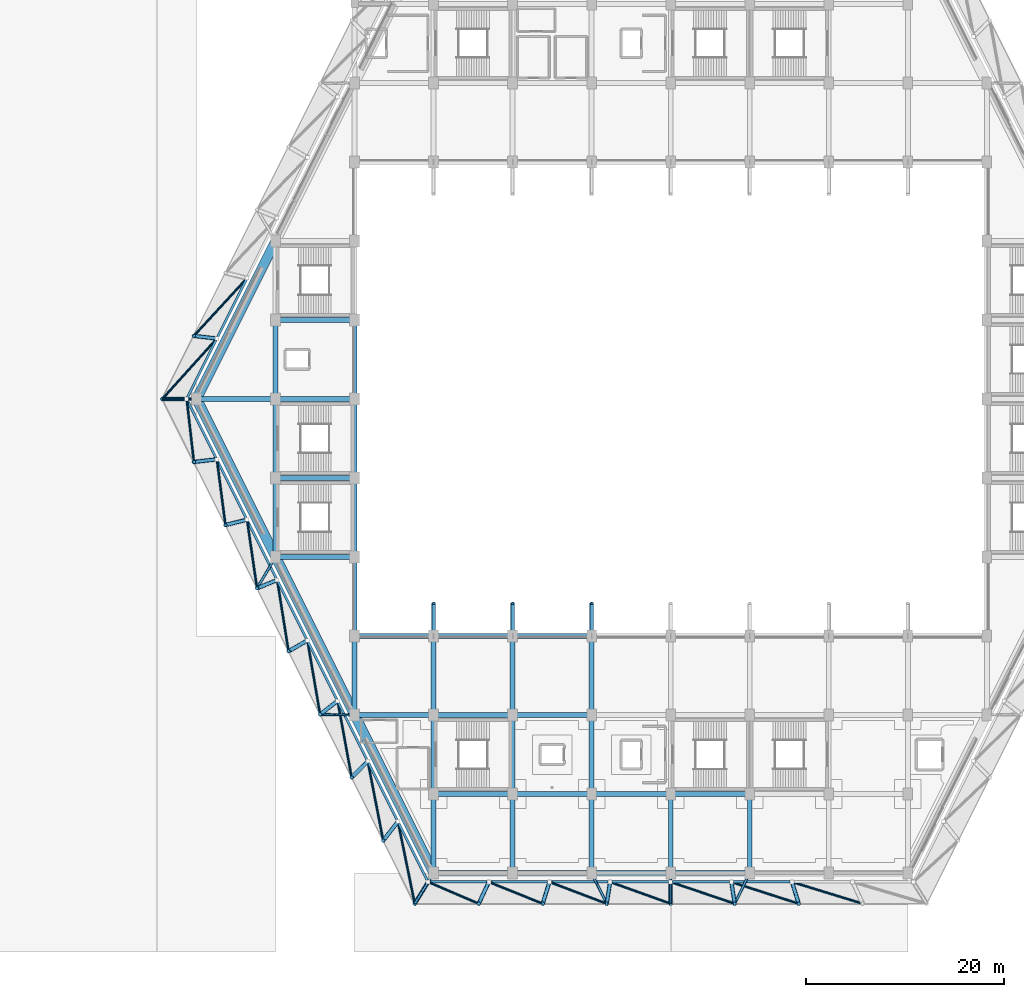
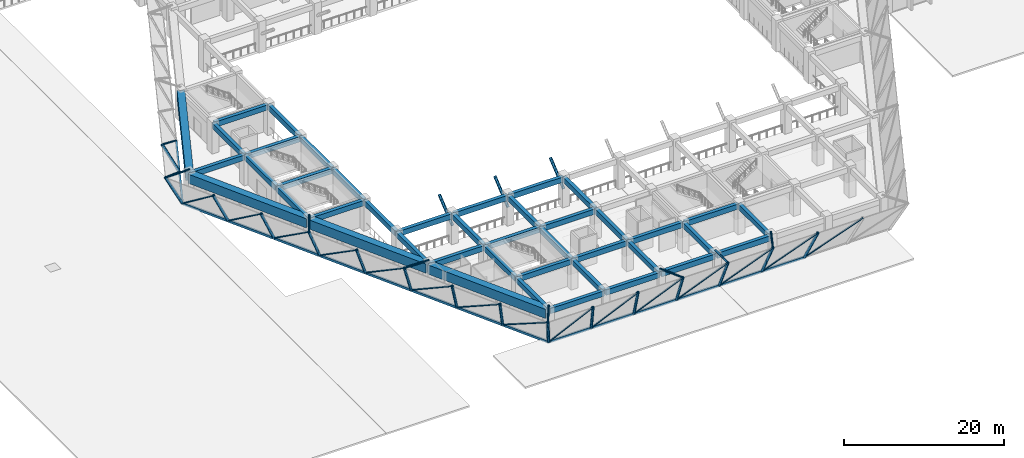
# One storey, part 7 of 46: 59 members, 42 beams.
"""IFC4 building model written with IfcOpenShell, lengths in metres."""

import ifcopenshell
import ifcopenshell.guid

model = None  # the IFC model being written
_history = None  # IfcOwnerHistory: only IFC2X3 demands one
_inside = {}  # id of a spatial element -> (the spatial element, [elements in it])
_under = {}  # id of a project, library or spatial element -> (it, [spatial elements below it])
_declared = {}  # id of a project -> (the project, [libraries it declares])
_typed = {}  # id of a type object -> (the type object, [elements of that type])
_made_of = {}  # id of a material, layer set ... -> (it, [elements and type objects made of it])


def new_model(schema):
    """Start an empty IFC model of exactly this schema.

    Asked for "IFC4X3", IfcOpenShell would pick the latest addendum, in which some entities
    have other attributes; the version numbers below select the first issue.
    IFC2X3 requires an IfcOwnerHistory on every rooted entity: one is made here for all.
    """
    global model, _history
    if schema == "IFC4X3":
        model = ifcopenshell.file(schema_version=(4, 3, 0, 0))
    else:
        model = ifcopenshell.file(schema=schema)
    _inside.clear()
    _under.clear()
    _declared.clear()
    _typed.clear()
    _made_of.clear()
    _history = None
    if model.schema == "IFC2X3":
        org = make("IfcOrganization", Name="unknown")
        user = make(
            "IfcPersonAndOrganization",
            ThePerson=make("IfcPerson", FamilyName="unknown"),
            TheOrganization=org,
        )
        app = make(
            "IfcApplication",
            ApplicationDeveloper=org,
            Version="unknown",
            ApplicationFullName="unknown",
            ApplicationIdentifier="unknown",
        )
        _history = make(
            "IfcOwnerHistory",
            OwningUser=user,
            OwningApplication=app,
            ChangeAction="ADDED",
            CreationDate=0,
        )
    return model


def make(cls, **values):
    """One entity of the class cls with the attributes given. An attribute that is None is left unset."""
    return model.create_entity(
        cls, **{name: value for name, value in values.items() if value is not None}
    )


def rooted(cls, **values):
    """An entity with a GlobalId (a new one), such as an element, a storey or a relation."""
    return make(cls, GlobalId=ifcopenshell.guid.new(), OwnerHistory=_history, **values)


def si_unit(unit_type, name, prefix=None):
    """IfcSIUnit, for example si_unit("LENGTHUNIT", "METRE", prefix="MILLI")."""
    return make("IfcSIUnit", UnitType=unit_type, Prefix=prefix, Name=name)


def assignment(units):
    """IfcUnitAssignment: the units of a project."""
    return None if units is None else make("IfcUnitAssignment", Units=units)


def point(xyz):
    """IfcCartesianPoint."""
    return None if xyz is None else make("IfcCartesianPoint", Coordinates=xyz)


def direction(xyz):
    """IfcDirection."""
    return None if xyz is None else make("IfcDirection", DirectionRatios=xyz)


def frame(location, z_axis=None, x_axis=None):
    """IfcAxis2Placement3D, a coordinate frame: its origin and axes. An axis left out is left unset."""
    return make(
        "IfcAxis2Placement3D",
        Location=point(location),
        Axis=direction(z_axis),
        RefDirection=direction(x_axis),
    )


def frame_2d(location, x_axis=None):
    """IfcAxis2Placement2D, a coordinate frame in the plane: its origin and x axis."""
    return make(
        "IfcAxis2Placement2D", Location=point(location), RefDirection=direction(x_axis)
    )


def origin():
    """The frame at (0, 0, 0) with its axes left unset."""
    return frame((0.0, 0.0, 0.0))


def origin_2d():
    """The frame at (0, 0) in the plane with its x axis left unset."""
    return frame_2d((0.0, 0.0))


def place(relative_to, where):
    """IfcLocalPlacement: puts the frame where relative to a parent placement (None: the world)."""
    return make(
        "IfcLocalPlacement", PlacementRelTo=relative_to, RelativePlacement=where
    )


def context(
    kind, dimensions, precision=None, world=None, true_north=None, identifier=None
):
    """IfcGeometricRepresentationContext, for example the 3D "Model" context."""
    return make(
        "IfcGeometricRepresentationContext",
        ContextIdentifier=identifier,
        ContextType=kind,
        CoordinateSpaceDimension=dimensions,
        Precision=precision,
        WorldCoordinateSystem=world,
        TrueNorth=true_north,
    )


def subcontext(parent, identifier, kind, view, scale=None):
    """IfcGeometricRepresentationSubContext, for example "Body" below "Model"."""
    return make(
        "IfcGeometricRepresentationSubContext",
        ContextIdentifier=identifier,
        ContextType=kind,
        ParentContext=parent,
        TargetScale=scale,
        TargetView=view,
    )


def project(units=None, contexts=None):
    """IfcProject with its units and contexts."""
    return rooted(
        "IfcProject",
        Name="project",
        RepresentationContexts=contexts,
        UnitsInContext=assignment(units),
    )


def spatial(cls, under=None, at=None, **own):
    """A site, building, storey or space (cls), placed at a placement, below another one or the project."""
    s = rooted(cls, ObjectPlacement=at, **own)
    if under is not None:
        _under.setdefault(under.id(), (under, []))[1].append(s)
    return s


def profile(cls, at=None, kind="AREA", **sizes):
    """A parametric profile (cls). Its sizes go by their IFC names, for example OverallWidth=200.0."""
    return make(cls, ProfileType=kind, Position=at, **sizes)


def rectangle(**sizes):
    """IfcRectangleProfileDef."""
    return profile("IfcRectangleProfileDef", **sizes)


def hollow_rectangle(**sizes):
    """IfcRectangleHollowProfileDef."""
    return profile("IfcRectangleHollowProfileDef", **sizes)


def hollow_circle(**sizes):
    """IfcCircleHollowProfileDef."""
    return profile("IfcCircleHollowProfileDef", **sizes)


def extrude(swept, where, along, depth):
    """IfcExtrudedAreaSolid: the profile swept, set in the frame where, extruded along a direction by depth."""
    return make(
        "IfcExtrudedAreaSolid",
        SweptArea=swept,
        Position=where,
        ExtrudedDirection=direction(along),
        Depth=depth,
    )


def shape(context_of_items, identifier, shape_type, items):
    """IfcShapeRepresentation: the items that make up one representation, for example the "Body"."""
    return make(
        "IfcShapeRepresentation",
        ContextOfItems=context_of_items,
        RepresentationIdentifier=identifier,
        RepresentationType=shape_type,
        Items=items,
    )


def material(Name=None, Category=None):
    """IfcMaterial."""
    return make("IfcMaterial", Name=Name, Category=Category)


def material_profile(
    of_material, cross_section, Name=None, Category=None, Priority=None
):
    """IfcMaterialProfile: a cross section and its material."""
    return make(
        "IfcMaterialProfile",
        Name=Name,
        Material=of_material,
        Profile=cross_section,
        Priority=Priority,
        Category=Category,
    )


def profile_set(profiles, Name=None, composite=None):
    """IfcMaterialProfileSet."""
    return make(
        "IfcMaterialProfileSet",
        Name=Name,
        MaterialProfiles=profiles,
        CompositeProfile=composite,
    )


def made_of(thing, what):
    """Note that an element or type object is made of a material, layer set ...; save() writes the relation."""
    if what is not None:
        _made_of.setdefault(what.id(), (what, []))[1].append(thing)
    return thing


def type_object(cls, material=None, **own):
    """A type object (cls), such as IfcWallType, which elements share."""
    return made_of(rooted(cls, **own), material)


def element(
    cls,
    number,
    at=None,
    inside=None,
    cuts=None,
    type_object=None,
    material=None,
    context=None,
    identifier="Body",
    shape_type=None,
    held_by="IfcProductDefinitionShape",
    body=None,
    shapes=None,
    **own,
):
    """One element of the class cls, such as IfcWall. Its Tag is "e" and its number.

    at: its placement. inside: the storey or other place that contains it. cuts: it is an
    opening in that element (IfcRelVoidsElement). A single representation is given by context,
    identifier, shape_type and body (its items); several are given by shapes. held_by: the class
    of the entity that holds the representations. save() writes the other relations.
    """
    e = rooted(cls, Tag="e%d" % number, ObjectPlacement=at, **own)
    if body is not None:
        shapes = [shape(context, identifier, shape_type, body)]
    if shapes is not None:
        e.Representation = make(held_by, Representations=shapes)
    if inside is not None:
        _inside.setdefault(inside.id(), (inside, []))[1].append(e)
    if cuts is not None:
        rooted(
            "IfcRelVoidsElement", RelatingBuildingElement=cuts, RelatedOpeningElement=e
        )
    if type_object is not None:
        _typed.setdefault(type_object.id(), (type_object, []))[1].append(e)
    return made_of(e, material)


def aggregate(whole, parts):
    """IfcRelAggregates: a whole, such as a stair, and the parts it consists of."""
    return rooted("IfcRelAggregates", RelatingObject=whole, RelatedObjects=parts)


def save(model, path):
    """Write the relations noted so far, then the file.

    IfcRelAggregates (storeys below a building ...), IfcRelContainedInSpatialStructure (elements
    in a storey), IfcRelDefinesByType, IfcRelAssociatesMaterial and IfcRelDeclares: one each for
    every whole, place, type object, material and project.
    """
    for whole, parts in _under.values():
        aggregate(whole, parts)
    for where, things in _inside.values():
        rooted(
            "IfcRelContainedInSpatialStructure",
            RelatedElements=things,
            RelatingStructure=where,
        )
    for kind, things in _typed.values():
        rooted("IfcRelDefinesByType", RelatedObjects=things, RelatingType=kind)
    for what, things in _made_of.values():
        rooted("IfcRelAssociatesMaterial", RelatedObjects=things, RelatingMaterial=what)
    for by, libraries in _declared.values():
        rooted("IfcRelDeclares", RelatingContext=by, RelatedDefinitions=libraries)
    model.write(path)


model = new_model("IFC4")

# Units and contexts
model_context = context("Model", 3, precision=1e-05, world=origin(), true_north=direction((0.0, 1.0)))
body_context = subcontext(model_context, "Body", "Model", "MODEL_VIEW")
ifc_project = project(units=[si_unit("LENGTHUNIT", "METRE"), si_unit("AREAUNIT", "SQUARE_METRE"), si_unit("VOLUMEUNIT", "CUBIC_METRE"), si_unit("PLANEANGLEUNIT", "RADIAN"), si_unit("MASSUNIT", "GRAM", prefix="KILO")], contexts=[model_context])

# Site, building, storey
site_placement = place(None, origin())
site = spatial("IfcSite", under=ifc_project, at=site_placement, CompositionType="ELEMENT")
building_placement = place(site_placement, origin())
building = spatial("IfcBuilding", under=site, at=building_placement, Name="Tazarka Park Arena", CompositionType="ELEMENT")
storey_placement = place(building_placement, frame((0.0, 0.0, 10.199951171875)))
storey = spatial("IfcBuildingStorey", under=building, at=storey_placement, Name="L02", CompositionType="ELEMENT", Elevation=10.199951171875)

# Beams
ifc_material_1 = material(Name="Concrete C40/50", Category="concrete")
ifc_material_profile_1 = material_profile(ifc_material_1, rectangle(XDim=0.5, YDim=0.800048828125, at=origin_2d()), Name="Concrete C40/50")
ifc_profile_set_1 = profile_set([ifc_material_profile_1], Name="Concrete C40/50")
beam_type_1 = type_object("IfcBeamType", Name="BM-B-02", PredefinedType="BEAM", material=ifc_profile_set_1)
for number, where, z_axis, x_axis, name in (
    (1, (48.1201171875, 56.0, 4.02001953125), (1.0, 0.0, 0.0), (0.0, 1.0, 0.0), "GXM-L02-06-07"),
    (2, (48.1201171875, 64.0, 4.02001953125), (1.0, 0.0, 0.0), (0.0, 1.0, 0.0), "GXM-L02-06-08"),
    (3, (48.0, 64.1201171875, 4.02001953125), (0.0, 1.0, 0.0), (-1.0, 0.0, 0.0), "GYM-L02-06-08"),
    (4, (48.1201171875, 72.0, 4.02001953125), (1.0, 0.0, 0.0), (0.0, 1.0, 0.0), "GXM-L02-06-09"),
    (5, (56.1201171875, 40.0, 4.02001953125), (1.0, 0.0, 0.0), (0.0, 1.0, 0.0), "GXM-L02-07-05"),
    (6, (64.1201171875, 24.0, 4.02001953125), (1.0, 0.0, 0.0), (0.0, 1.0, 0.0), "GXM-L02-08-03"),
    (7, (64.1201171875, 32.0, 4.02001953125), (1.0, 0.0, 0.0), (0.0, 1.0, 0.0), "GXM-L02-08-04"),
    (8, (64.0, 32.1201171875, 4.02001953125), (0.0, 1.0, 0.0), (-1.0, 0.0, 0.0), "GYM-L02-08-04"),
    (9, (72.0, 16.1201171875, 4.02001953125), (0.0, 1.0, 0.0), (-1.0, 0.0, 0.0), "GYM-L02-09-02"),
    (10, (72.1201171875, 24.0, 4.02001953125), (1.0, 0.0, 0.0), (0.0, 1.0, 0.0), "GXM-L02-09-03"),
    (11, (72.0, 24.1201171875, 4.02001953125), (0.0, 1.0, 0.0), (-1.0, 0.0, 0.0), "GYM-L02-09-03"),
    (12, (72.1201171875, 32.0, 4.02001953125), (1.0, 0.0, 0.0), (0.0, 1.0, 0.0), "GXM-L02-09-04"),
    (13, (72.0, 32.1201171875, 4.02001953125), (0.0, 1.0, 0.0), (-1.0, 0.0, 0.0), "GYM-L02-09-04"),
    (14, (80.0, 16.1201171875, 4.02001953125), (0.0, 1.0, 0.0), (-1.0, 0.0, 0.0), "GYM-L02-10-02"),
    (15, (80.1201171875, 24.0, 4.02001953125), (1.0, 0.0, 0.0), (0.0, 1.0, 0.0), "GXM-L02-10-03"),
    (16, (80.0, 24.1201171875, 4.02001953125), (0.0, 1.0, 0.0), (-1.0, 0.0, 0.0), "GYM-L02-10-03"),
    (17, (80.0, 32.1201171875, 4.02001953125), (0.0, 1.0, 0.0), (-1.0, 0.0, 0.0), "GYM-L02-10-04"),
    (18, (88.0, 16.1201171875, 4.02001953125), (0.0, 1.0, 0.0), (-1.0, 0.0, 0.0), "GYM-L02-11-02"),
    (19, (88.1201171875, 24.0, 4.02001953125), (1.0, 0.0, 0.0), (0.0, 1.0, 0.0), "GXM-L02-11-03"),
    (20, (96.0, 16.1201171875, 4.02001953125), (0.0, 1.0, 0.0), (-1.0, 0.0, 0.0), "GYM-L02-12-02"),
):
    element("IfcBeam", number, at=place(storey_placement, frame(where, z_axis=z_axis, x_axis=x_axis)), inside=storey, type_object=beam_type_1, Name=name, PredefinedType="BEAM", context=body_context, shape_type="SweptSolid", body=[
        extrude(rectangle(XDim=0.5, YDim=0.800048828125, at=origin_2d()), origin(), (0.0, 0.0, 1.0), 7.759765625),
    ])
ifc_material_2 = material(Name="Concrete C50/60", Category="concrete")
ifc_material_profile_2 = material_profile(ifc_material_2, rectangle(XDim=1.0, YDim=1.39990234375, at=origin_2d()), Name="Concrete C50/60")
ifc_profile_set_2 = profile_set([ifc_material_profile_2], Name="Concrete C50/60")
beam_type_2 = type_object("IfcBeamType", Name="BM-RNG-01", PredefinedType="BEAM", material=ifc_profile_set_2)
for number, where, z_axis, x_axis, name in (
    (21, (47.9462890625, 79.892578125, 3.719970703125), (-0.4472135955, -0.894427191, 0.0), (0.894427191, -0.4472135955, 0.0), "RING BEAM RNG-01-L02-21"),
    (22, (40.0537109375, 63.892578125, 3.719970703125), (0.4472135955, -0.894427191, 0.0), (0.894427191, 0.4472135955, 0.0), "RING BEAM RNG-01-L02-22"),
    (23, (48.0537109375, 47.892578125, 3.719970703125), (0.4472135955, -0.894427191, 0.0), (0.894427191, 0.4472135955, 0.0), "RING BEAM RNG-01-L02-23"),
    (24, (56.0537109375, 31.892578125, 3.719970703125), (0.4472135955, -0.894427191, 0.0), (0.894427191, 0.4472135955, 0.0), "RING BEAM RNG-01-L02-24"),
):
    element("IfcBeam", number, at=place(storey_placement, frame(where, z_axis=z_axis, x_axis=x_axis)), inside=storey, type_object=beam_type_2, Name=name, PredefinedType="BEAM", context=body_context, shape_type="SweptSolid", body=[
        extrude(rectangle(XDim=1.0, YDim=1.39990234375, at=origin_2d()), origin(), (0.0, 0.0, 1.0), 17.6484375),
    ])
ifc_material_3 = material(Name="Concrete C40/50", Category="concrete")
ifc_material_profile_3 = material_profile(ifc_material_3, rectangle(XDim=0.5, YDim=0.800048828125, at=origin_2d()), Name="Concrete C40/50")
ifc_profile_set_3 = profile_set([ifc_material_profile_3], Name="Concrete C40/50")
beam_type_3 = type_object("IfcBeamType", Name="BM-SP-01", PredefinedType="SPANDREL", material=ifc_profile_set_3)
for number, where, z_axis, x_axis, name in (
    (25, (40.1201171875, 64.0, 4.02001953125), (1.0, 0.0, 0.0), (0.0, 1.0, 0.0), "GXM-L02-05-08"),
    (26, (48.1201171875, 48.0, 4.02001953125), (1.0, 0.0, 0.0), (0.0, 1.0, 0.0), "GXM-L02-06-06"),
    (27, (48.0, 48.1201171875, 4.02001953125), (0.0, 1.0, 0.0), (-1.0, 0.0, 0.0), "GYM-L02-06-06"),
    (28, (48.0, 56.1201171875, 4.02001953125), (0.0, 1.0, 0.0), (-1.0, 0.0, 0.0), "GYM-L02-06-07"),
    (29, (56.1201171875, 32.0, 4.02001953125), (1.0, 0.0, 0.0), (0.0, 1.0, 0.0), "GXM-L02-07-04"),
    (30, (56.0, 32.1201171875, 4.02001953125), (0.0, 1.0, 0.0), (-1.0, 0.0, 0.0), "GYM-L02-07-04"),
    (31, (56.0, 40.1201171875, 4.02001953125), (0.0, 1.0, 0.0), (-1.0, 0.0, 0.0), "GYM-L02-07-05"),
    (32, (56.0, 48.1201171875, 4.02001953125), (0.0, 1.0, 0.0), (-1.0, 0.0, 0.0), "GYM-L02-07-06"),
    (33, (56.0, 56.1201171875, 4.02001953125), (0.0, 1.0, 0.0), (-1.0, 0.0, 0.0), "GYM-L02-07-07"),
    (34, (56.0, 64.1201171875, 4.02001953125), (0.0, 1.0, 0.0), (-1.0, 0.0, 0.0), "GYM-L02-07-08"),
    (35, (64.1201171875, 16.0, 4.02001953125), (1.0, 0.0, 0.0), (0.0, 1.0, 0.0), "GXM-L02-08-02"),
    (36, (64.0, 16.1201171875, 4.02001953125), (0.0, 1.0, 0.0), (-1.0, 0.0, 0.0), "GYM-L02-08-02"),
    (37, (64.0, 24.1201171875, 4.02001953125), (0.0, 1.0, 0.0), (-1.0, 0.0, 0.0), "GYM-L02-08-03"),
    (38, (64.1201171875, 40.0, 4.02001953125), (1.0, 0.0, 0.0), (0.0, 1.0, 0.0), "GXM-L02-08-05"),
    (39, (72.1201171875, 16.0, 4.02001953125), (1.0, 0.0, 0.0), (0.0, 1.0, 0.0), "GXM-L02-09-02"),
    (40, (72.1201171875, 40.0, 4.02001953125), (1.0, 0.0, 0.0), (0.0, 1.0, 0.0), "GXM-L02-09-05"),
    (41, (80.1201171875, 16.0, 4.02001953125), (1.0, 0.0, 0.0), (0.0, 1.0, 0.0), "GXM-L02-10-02"),
    (42, (88.1201171875, 16.0, 4.02001953125), (1.0, 0.0, 0.0), (0.0, 1.0, 0.0), "GXM-L02-11-02"),
):
    element("IfcBeam", number, at=place(storey_placement, frame(where, z_axis=z_axis, x_axis=x_axis)), inside=storey, type_object=beam_type_3, Name=name, PredefinedType="SPANDREL", context=body_context, shape_type="SweptSolid", body=[
        extrude(rectangle(XDim=0.5, YDim=0.800048828125, at=origin_2d()), origin(), (0.0, 0.0, 1.0), 7.759765625),
    ])

# Members
ifc_material_4 = material(Name="Steel S355", Category="steel")
ifc_material_profile_4 = material_profile(ifc_material_4, hollow_circle(Radius=0.122314453125, WallThickness=0.012451171875, at=origin_2d()), Name="Steel S355")
ifc_profile_set_4 = profile_set([ifc_material_profile_4], Name="Steel S355")
member_type_1 = type_object("IfcMemberType", Name="MEM-BR-05", PredefinedType="BRACE", material=ifc_profile_set_4)
member_1_placement = place(storey_placement, frame((63.44384765625, 15.10009765625, 0.0), z_axis=(0.696066765996, -0.299167955702, 0.652678781298), x_axis=(0.394870954977, 0.91873659387, 0.0)))
element("IfcMember", 43, at=member_1_placement, inside=storey, type_object=member_type_1, Name="FLD-00", PredefinedType="BRACE", context=body_context, shape_type="SweptSolid", body=[
    extrude(hollow_circle(Radius=0.122314453125, WallThickness=0.012451171875, at=origin_2d()), origin(), (0.0, 0.0, 1.0), 7.3544921875),
])
member_2_placement = place(storey_placement, frame((69.5830078125, 15.10009765625, 0.0), z_axis=(0.718773908535, -0.289695459021, 0.632013140237), x_axis=(0.373821010062, 0.927500863847, 0.0)))
element("IfcMember", 44, at=member_2_placement, inside=storey, type_object=member_type_1, Name="FLD-01", PredefinedType="BRACE", context=body_context, shape_type="SweptSolid", body=[
    extrude(hollow_circle(Radius=0.122314453125, WallThickness=0.012451171875, at=origin_2d()), origin(), (0.0, 0.0, 1.0), 7.594970703125),
])
member_3_placement = place(storey_placement, frame((75.721923828125, 15.10009765625, 0.0), z_axis=(0.739407164777, -0.280534558539, 0.612027291992), x_axis=(0.354731361378, 0.934968267512, 0.0)))
element("IfcMember", 45, at=member_3_placement, inside=storey, type_object=member_type_1, Name="FLD-02", PredefinedType="BRACE", context=body_context, shape_type="SweptSolid", body=[
    extrude(hollow_circle(Radius=0.122314453125, WallThickness=0.012451171875, at=origin_2d()), origin(), (0.0, 0.0, 1.0), 7.8427734375),
])
member_4_placement = place(storey_placement, frame((81.861083984375, 15.10009765625, 0.0), z_axis=(0.758135771564, -0.271716825346, 0.59279011353), x_axis=(0.337386809488, 0.941366103481, 0.0)))
element("IfcMember", 46, at=member_4_placement, inside=storey, type_object=member_type_1, Name="FLD-03", PredefinedType="BRACE", context=body_context, shape_type="SweptSolid", body=[
    extrude(hollow_circle(Radius=0.122314453125, WallThickness=0.012451171875, at=origin_2d()), origin(), (0.0, 0.0, 1.0), 8.097412109375),
])
member_5_placement = place(storey_placement, frame((88.0, 15.10009765625, 0.0), z_axis=(0.775171183392, -0.263239230715, 0.574294997237), x_axis=(0.321553453525, 0.946891428056, 0.0)))
element("IfcMember", 47, at=member_5_placement, inside=storey, type_object=member_type_1, Name="FLD-04", PredefinedType="BRACE", context=body_context, shape_type="SweptSolid", body=[
    extrude(hollow_circle(Radius=0.122314453125, WallThickness=0.012451171875, at=origin_2d()), origin(), (0.0, 0.0, 1.0), 8.358154296875),
])
member_6_placement = place(storey_placement, frame((94.138916015625, 15.10009765625, 0.0), z_axis=(0.790668677769, -0.255111028035, 0.556562130737), x_axis=(0.307064502192, 0.951688705141, 0.0)))
element("IfcMember", 48, at=member_6_placement, inside=storey, type_object=member_type_1, Name="FLD-05", PredefinedType="BRACE", context=body_context, shape_type="SweptSolid", body=[
    extrude(hollow_circle(Radius=0.122314453125, WallThickness=0.012451171875, at=origin_2d()), origin(), (0.0, 0.0, 1.0), 8.62451171875),
])
member_7_placement = place(storey_placement, frame((100.278076171875, 15.10009765625, 0.0), z_axis=(0.804772711935, -0.247335254918, 0.539598141027), x_axis=(0.293774300866, 0.955874814058, 0.0)))
element("IfcMember", 49, at=member_7_placement, inside=storey, type_object=member_type_1, Name="FLD-06", PredefinedType="BRACE", context=body_context, shape_type="SweptSolid", body=[
    extrude(hollow_circle(Radius=0.122314453125, WallThickness=0.012451171875, at=origin_2d()), origin(), (0.0, 0.0, 1.0), 8.8955078125),
])
member_8_placement = place(storey_placement, frame((45.106201171875, 76.22509765625, 0.0), z_axis=(-0.579814796699, -0.629321452741, 0.517464308575), x_axis=(0.735442245217, -0.67758741425, 0.0)))
element("IfcMember", 50, at=member_8_placement, inside=storey, type_object=member_type_1, Name="FLD-38", PredefinedType="BRACE", context=body_context, shape_type="SweptSolid", body=[
    extrude(hollow_circle(Radius=0.122314453125, WallThickness=0.012451171875, at=origin_2d()), origin(), (0.0, 0.0, 1.0), 9.276123046875),
])
member_9_placement = place(storey_placement, frame((42.050048828125, 70.112548828125, 0.0), z_axis=(-0.578765721541, -0.641373760467, 0.50365656846), x_axis=(0.742413261567, -0.66994219829, 0.0)))
element("IfcMember", 51, at=member_9_placement, inside=storey, type_object=member_type_1, Name="FLD-39", PredefinedType="BRACE", context=body_context, shape_type="SweptSolid", body=[
    extrude(hollow_circle(Radius=0.122314453125, WallThickness=0.012451171875, at=origin_2d()), origin(), (0.0, 0.0, 1.0), 9.530517578125),
])
member_10_placement = place(storey_placement, frame((38.993896484375, 64.0, 0.0), z_axis=(0.091465706809, -0.796080268541, 0.598239275305), x_axis=(0.99346419823, 0.114144149367, 0.0)))
element("IfcMember", 52, at=member_10_placement, inside=storey, type_object=member_type_1, Name="FLD-40", PredefinedType="BRACE", context=body_context, shape_type="SweptSolid", body=[
    extrude(hollow_circle(Radius=0.122314453125, WallThickness=0.012451171875, at=origin_2d()), origin(), (0.0, 0.0, 1.0), 8.023681640625),
])
member_11_placement = place(storey_placement, frame((42.050048828125, 57.887451171875, 0.0), z_axis=(0.105549754359, -0.806819957058, 0.581292358669), x_axis=(0.991551104479, 0.12971664198, 0.0)))
element("IfcMember", 53, at=member_11_placement, inside=storey, type_object=member_type_1, Name="FLD-41", PredefinedType="BRACE", context=body_context, shape_type="SweptSolid", body=[
    extrude(hollow_circle(Radius=0.122314453125, WallThickness=0.012451171875, at=origin_2d()), origin(), (0.0, 0.0, 1.0), 8.257568359375),
])
member_12_placement = place(storey_placement, frame((45.106201171875, 51.77490234375, 0.0), z_axis=(0.118761148078, -0.816529587171, 0.564955947824), x_axis=(0.989587611735, 0.143931784885, 0.0)))
element("IfcMember", 54, at=member_12_placement, inside=storey, type_object=member_type_1, Name="FLD-42", PredefinedType="BRACE", context=body_context, shape_type="SweptSolid", body=[
    extrude(hollow_circle(Radius=0.122314453125, WallThickness=0.012451171875, at=origin_2d()), origin(), (0.0, 0.0, 1.0), 8.496337890625),
])
member_13_placement = place(storey_placement, frame((48.16259765625, 45.66259765625, 0.0), z_axis=(0.131185663066, -0.825301968472, 0.549242189423), x_axis=(0.987601163558, 0.156983890061, 0.0)))
element("IfcMember", 55, at=member_13_placement, inside=storey, type_object=member_type_1, Name="FLD-43", PredefinedType="BRACE", context=body_context, shape_type="SweptSolid", body=[
    extrude(hollow_circle(Radius=0.122314453125, WallThickness=0.012451171875, at=origin_2d()), origin(), (0.0, 0.0, 1.0), 8.739501953125),
])
member_14_placement = place(storey_placement, frame((51.21875, 39.550048828125, 0.0), z_axis=(0.142904707131, -0.8332213808, 0.534153887244), x_axis=(0.985609101406, 0.169040525397, 0.0)))
element("IfcMember", 56, at=member_14_placement, inside=storey, type_object=member_type_1, Name="FLD-44", PredefinedType="BRACE", context=body_context, shape_type="SweptSolid", body=[
    extrude(hollow_circle(Radius=0.122314453125, WallThickness=0.012451171875, at=origin_2d()), origin(), (0.0, 0.0, 1.0), 8.986328125),
])
member_15_placement = place(storey_placement, frame((54.275146484375, 33.4375, 0.0), z_axis=(0.153884843362, -0.840393094243, 0.519671917783), x_axis=(0.983645403377, 0.180115852759, 0.0)))
element("IfcMember", 57, at=member_15_placement, inside=storey, type_object=member_type_1, Name="FLD-45", PredefinedType="BRACE", context=body_context, shape_type="SweptSolid", body=[
    extrude(hollow_circle(Radius=0.122314453125, WallThickness=0.012451171875, at=origin_2d()), origin(), (0.0, 0.0, 1.0), 9.236572265625),
])
member_16_placement = place(storey_placement, frame((57.331298828125, 27.324951171875, 0.0), z_axis=(0.164277568101, -0.84688096139, 0.505772199566), x_axis=(0.981700804417, 0.190429857447, 0.0)))
element("IfcMember", 58, at=member_16_placement, inside=storey, type_object=member_type_1, Name="FLD-46", PredefinedType="BRACE", context=body_context, shape_type="SweptSolid", body=[
    extrude(hollow_circle(Radius=0.122314453125, WallThickness=0.012451171875, at=origin_2d()), origin(), (0.0, 0.0, 1.0), 9.490478515625),
])
member_17_placement = place(storey_placement, frame((60.3876953125, 21.21240234375, 0.0), z_axis=(0.17402137003, -0.852774842658, 0.492434392079), x_axis=(0.979807280415, 0.199944225338, 0.0)))
element("IfcMember", 59, at=member_17_placement, inside=storey, type_object=member_type_1, Name="FLD-47", PredefinedType="BRACE", context=body_context, shape_type="SweptSolid", body=[
    extrude(hollow_circle(Radius=0.122314453125, WallThickness=0.012451171875, at=origin_2d()), origin(), (0.0, 0.0, 1.0), 9.74755859375),
])
ifc_material_5 = material(Name="Steel S355", Category="steel")
ifc_material_profile_5 = material_profile(ifc_material_5, hollow_circle(Radius=0.136474609375, WallThickness=0.012451171875, at=origin_2d()), Name="Steel S355")
ifc_profile_set_5 = profile_set([ifc_material_profile_5], Name="Steel S355")
member_type_2 = type_object("IfcMemberType", Name="MEM-SR-01", PredefinedType="STRUT", material=ifc_profile_set_5)
member_18_placement = place(storey_placement, frame((64.0, 16.0, 4.800048828125), z_axis=(-0.525741020847, -0.850644684342, 0.0), x_axis=(0.850644684342, -0.525741020847, 0.0)))
element("IfcMember", 60, at=member_18_placement, inside=storey, type_object=member_type_2, Name="FST-00", PredefinedType="STRUT", context=body_context, shape_type="SweptSolid", body=[
    extrude(hollow_circle(Radius=0.136474609375, WallThickness=0.012451171875, at=origin_2d()), origin(), (0.0, 0.0, 1.0), 3.64453125),
])
member_19_placement = place(storey_placement, frame((80.0, 16.0, 4.800048828125), z_axis=(0.440470152774, -0.897767255204, 0.0), x_axis=(0.897767255204, 0.440470152774, 0.0)))
element("IfcMember", 61, at=member_19_placement, inside=storey, type_object=member_type_2, Name="FST-02", PredefinedType="STRUT", context=body_context, shape_type="SweptSolid", body=[
    extrude(hollow_circle(Radius=0.136474609375, WallThickness=0.012451171875, at=origin_2d()), origin(), (0.0, 0.0, 1.0), 3.453125),
])
member_20_placement = place(storey_placement, frame((88.0, 16.0, 4.800048828125), z_axis=(0.0, -1.0, 0.0), x_axis=(1.0, 0.0, 0.0)))
element("IfcMember", 62, at=member_20_placement, inside=storey, type_object=member_type_2, Name="FST-03", PredefinedType="STRUT", context=body_context, shape_type="SweptSolid", body=[
    extrude(hollow_circle(Radius=0.136474609375, WallThickness=0.012451171875, at=origin_2d()), origin(), (0.0, 0.0, 1.0), 3.10009765625),
])
member_21_placement = place(storey_placement, frame((96.0, 16.0, 4.800048828125), z_axis=(-0.440470152774, -0.897767255204, 0.0), x_axis=(0.897767255204, -0.440470152774, 0.0)))
element("IfcMember", 63, at=member_21_placement, inside=storey, type_object=member_type_2, Name="FST-04", PredefinedType="STRUT", context=body_context, shape_type="SweptSolid", body=[
    extrude(hollow_circle(Radius=0.136474609375, WallThickness=0.012451171875, at=origin_2d()), origin(), (0.0, 0.0, 1.0), 3.453125),
])
member_22_placement = place(storey_placement, frame((40.0, 64.0, 4.800048828125), z_axis=(-1.0, 0.0, 0.0), x_axis=(0.0, -1.0, 0.0)))
element("IfcMember", 64, at=member_22_placement, inside=storey, type_object=member_type_2, Name="FST-21", PredefinedType="STRUT", context=body_context, shape_type="SweptSolid", body=[
    extrude(hollow_circle(Radius=0.136474609375, WallThickness=0.012451171875, at=origin_2d()), origin(), (0.0, 0.0, 1.0), 3.4658203125),
])
member_23_placement = place(storey_placement, frame((48.0, 48.0, 4.800048828125), z_axis=(-0.511938460162, -0.859022126029, 0.0), x_axis=(0.859022126029, -0.511938460162, 0.0)))
element("IfcMember", 65, at=member_23_placement, inside=storey, type_object=member_type_2, Name="FST-22", PredefinedType="STRUT", context=body_context, shape_type="SweptSolid", body=[
    extrude(hollow_circle(Radius=0.136474609375, WallThickness=0.012451171875, at=origin_2d()), origin(), (0.0, 0.0, 1.0), 3.681640625),
])
member_24_placement = place(storey_placement, frame((56.0, 32.0, 4.800048828125), z_axis=(-0.99984033222, 0.017869249166, 0.0), x_axis=(-0.017869249166, -0.99984033222, 0.0)))
element("IfcMember", 66, at=member_24_placement, inside=storey, type_object=member_type_2, Name="FST-23", PredefinedType="STRUT", context=body_context, shape_type="SweptSolid", body=[
    extrude(hollow_circle(Radius=0.136474609375, WallThickness=0.012451171875, at=origin_2d()), origin(), (0.0, 0.0, 1.0), 3.49755859375),
])
ifc_material_6 = material(Name="Steel S460", Category="steel")
ifc_material_profile_6 = material_profile(ifc_material_6, hollow_circle(Radius=0.203125, WallThickness=0.02001953125, at=origin_2d()), Name="Steel S460")
ifc_profile_set_6 = profile_set([ifc_material_profile_6], Name="Steel S460")
member_type_3 = type_object("IfcMemberType", Name="MEM-SR-02", PredefinedType="STRUT", material=ifc_profile_set_6)
member_25_placement = place(storey_placement, frame((63.44384765625, 15.10009765625, 0.0), z_axis=(-0.249398438136, -0.403515031326, 0.880327233788), x_axis=(0.85063908606, -0.525750078712, 0.0)))
element("IfcMember", 67, at=member_25_placement, inside=storey, type_object=member_type_3, Name="FSL-00", PredefinedType="STRUT", context=body_context, shape_type="SweptSolid", body=[
    extrude(hollow_circle(Radius=0.203125, WallThickness=0.02001953125, at=origin_2d()), origin(), (0.0, 0.0, 1.0), 5.45263671875),
])
member_26_placement = place(storey_placement, frame((69.5830078125, 15.10009765625, 0.0), z_axis=(-0.189668875151, -0.409118215141, 0.892551401231), x_axis=(0.907245026387, -0.420602498918, 0.0)))
element("IfcMember", 68, at=member_26_placement, inside=storey, type_object=member_type_3, Name="FSL-01", PredefinedType="STRUT", context=body_context, shape_type="SweptSolid", body=[
    extrude(hollow_circle(Radius=0.203125, WallThickness=0.02001953125, at=origin_2d()), origin(), (0.0, 0.0, 1.0), 5.3779296875),
])
member_27_placement = place(storey_placement, frame((75.721923828125, 15.10009765625, 0.0), z_axis=(-0.127713696948, -0.413269600322, 0.901608256984), x_axis=(0.955418410897, -0.295255245711, 0.0)))
element("IfcMember", 69, at=member_27_placement, inside=storey, type_object=member_type_3, Name="FSL-02", PredefinedType="STRUT", context=body_context, shape_type="SweptSolid", body=[
    extrude(hollow_circle(Radius=0.203125, WallThickness=0.02001953125, at=origin_2d()), origin(), (0.0, 0.0, 1.0), 5.323974609375),
])
member_28_placement = place(storey_placement, frame((81.861083984375, 15.10009765625, 0.0), z_axis=(-0.064274027366, -0.415820197145, 0.907172758108), x_axis=(0.988263690231, -0.152757581058, 0.0)))
element("IfcMember", 70, at=member_28_placement, inside=storey, type_object=member_type_3, Name="FSL-03", PredefinedType="STRUT", context=body_context, shape_type="SweptSolid", body=[
    extrude(hollow_circle(Radius=0.203125, WallThickness=0.02001953125, at=origin_2d()), origin(), (0.0, 0.0, 1.0), 5.291259765625),
])
member_29_placement = place(storey_placement, frame((88.0, 15.10009765625, 0.0), z_axis=(0.0, -0.416681775475, 0.909052417623), x_axis=(1.0, 0.0, 0.0)))
element("IfcMember", 71, at=member_29_placement, inside=storey, type_object=member_type_3, Name="FSL-04", PredefinedType="STRUT", context=body_context, shape_type="SweptSolid", body=[
    extrude(hollow_circle(Radius=0.203125, WallThickness=0.02001953125, at=origin_2d()), origin(), (0.0, 0.0, 1.0), 5.2802734375),
])
member_30_placement = place(storey_placement, frame((94.138916015625, 15.10009765625, 0.0), z_axis=(0.064274027366, -0.415820197145, 0.907172758108), x_axis=(0.988263690231, 0.152757581058, 0.0)))
element("IfcMember", 72, at=member_30_placement, inside=storey, type_object=member_type_3, Name="FSL-05", PredefinedType="STRUT", context=body_context, shape_type="SweptSolid", body=[
    extrude(hollow_circle(Radius=0.203125, WallThickness=0.02001953125, at=origin_2d()), origin(), (0.0, 0.0, 1.0), 5.291259765625),
])
member_31_placement = place(storey_placement, frame((100.278076171875, 15.10009765625, 0.0), z_axis=(0.127713696948, -0.413269600322, 0.901608256984), x_axis=(0.955418410897, 0.295255245711, 0.0)))
element("IfcMember", 73, at=member_31_placement, inside=storey, type_object=member_type_3, Name="FSL-06", PredefinedType="STRUT", context=body_context, shape_type="SweptSolid", body=[
    extrude(hollow_circle(Radius=0.203125, WallThickness=0.02001953125, at=origin_2d()), origin(), (0.0, 0.0, 1.0), 5.323974609375),
])
member_32_placement = place(storey_placement, frame((42.050048828125, 70.112548828125, 0.0), z_axis=(-0.434931861825, 0.051485836461, 0.898990258131), x_axis=(-0.117555992862, -0.993066255867, 0.0)))
element("IfcMember", 74, at=member_32_placement, inside=storey, type_object=member_type_3, Name="FSL-39", PredefinedType="STRUT", context=body_context, shape_type="SweptSolid", body=[
    extrude(hollow_circle(Radius=0.203125, WallThickness=0.02001953125, at=origin_2d()), origin(), (0.0, 0.0, 1.0), 5.33935546875),
])
member_33_placement = place(storey_placement, frame((38.993896484375, 64.0, 0.0), z_axis=(-0.456045530857, 0.0, 0.889956444881), x_axis=(0.0, -1.0, 0.0)))
element("IfcMember", 75, at=member_33_placement, inside=storey, type_object=member_type_3, Name="FSL-40", PredefinedType="STRUT", context=body_context, shape_type="SweptSolid", body=[
    extrude(hollow_circle(Radius=0.203125, WallThickness=0.02001953125, at=origin_2d()), origin(), (0.0, 0.0, 1.0), 5.3935546875),
])
member_34_placement = place(storey_placement, frame((42.050048828125, 57.887451171875, 0.0), z_axis=(-0.434931861825, -0.051485836461, 0.898990258131), x_axis=(0.117555992862, -0.993066255867, 0.0)))
element("IfcMember", 76, at=member_34_placement, inside=storey, type_object=member_type_3, Name="FSL-41", PredefinedType="STRUT", context=body_context, shape_type="SweptSolid", body=[
    extrude(hollow_circle(Radius=0.203125, WallThickness=0.02001953125, at=origin_2d()), origin(), (0.0, 0.0, 1.0), 5.33935546875),
])
member_35_placement = place(storey_placement, frame((45.106201171875, 51.77490234375, 0.0), z_axis=(-0.411999036498, -0.103690414639, 0.90526520525), x_axis=(0.244065353834, -0.969758786017, 0.0)))
element("IfcMember", 77, at=member_35_placement, inside=storey, type_object=member_type_3, Name="FSL-42", PredefinedType="STRUT", context=body_context, shape_type="SweptSolid", body=[
    extrude(hollow_circle(Radius=0.203125, WallThickness=0.02001953125, at=origin_2d()), origin(), (0.0, 0.0, 1.0), 5.30224609375),
])
member_36_placement = place(storey_placement, frame((48.16259765625, 45.66259765625, 0.0), z_axis=(-0.387517016134, -0.15618978232, 0.908534707155), x_axis=(0.373830235202, -0.927497145682, 0.0)))
element("IfcMember", 78, at=member_36_placement, inside=storey, type_object=member_type_3, Name="FSL-43", PredefinedType="STRUT", context=body_context, shape_type="SweptSolid", body=[
    extrude(hollow_circle(Radius=0.203125, WallThickness=0.02001953125, at=origin_2d()), origin(), (0.0, 0.0, 1.0), 5.283203125),
])
member_37_placement = place(storey_placement, frame((51.21875, 39.550048828125, 0.0), z_axis=(-0.361555607028, -0.208280435345, 0.908788646099), x_axis=(0.499166123897, -0.866506307394, 0.0)))
element("IfcMember", 79, at=member_37_placement, inside=storey, type_object=member_type_3, Name="FSL-44", PredefinedType="STRUT", context=body_context, shape_type="SweptSolid", body=[
    extrude(hollow_circle(Radius=0.203125, WallThickness=0.02001953125, at=origin_2d()), origin(), (0.0, 0.0, 1.0), 5.28173828125),
])
member_38_placement = place(storey_placement, frame((54.275146484375, 33.4375, 0.0), z_axis=(-0.334488631047, -0.259517835798, 0.905962388073), x_axis=(0.612998274306, -0.79008424595, 0.0)))
element("IfcMember", 80, at=member_38_placement, inside=storey, type_object=member_type_3, Name="FSL-45", PredefinedType="STRUT", context=body_context, shape_type="SweptSolid", body=[
    extrude(hollow_circle(Radius=0.203125, WallThickness=0.02001953125, at=origin_2d()), origin(), (0.0, 0.0, 1.0), 5.29833984375),
])
member_39_placement = place(storey_placement, frame((57.331298828125, 27.324951171875, 0.0), z_axis=(-0.306568887428, -0.309407488238, 0.900156943807), x_axis=(0.710357795107, -0.703840751115, 0.0)))
element("IfcMember", 81, at=member_39_placement, inside=storey, type_object=member_type_3, Name="FSL-46", PredefinedType="STRUT", context=body_context, shape_type="SweptSolid", body=[
    extrude(hollow_circle(Radius=0.203125, WallThickness=0.02001953125, at=origin_2d()), origin(), (0.0, 0.0, 1.0), 5.33251953125),
])
member_40_placement = place(storey_placement, frame((60.3876953125, 21.21240234375, 0.0), z_axis=(-0.278105252266, -0.35750559414, 0.891542045459), x_axis=(0.789303697824, -0.61400299071, 0.0)))
element("IfcMember", 82, at=member_40_placement, inside=storey, type_object=member_type_3, Name="FSL-47", PredefinedType="STRUT", context=body_context, shape_type="SweptSolid", body=[
    extrude(hollow_circle(Radius=0.203125, WallThickness=0.02001953125, at=origin_2d()), origin(), (0.0, 0.0, 1.0), 5.384033203125),
])
for number, where, z_axis, x_axis, name in (
    (83, (64.0, 40.0, 2.400146484375), (0.0, 0.770463826312, 0.637483719278), (-1.0, 0.0, 0.0), "RKS-S-08"),
    (84, (72.0, 40.0, 2.400146484375), (0.0, 0.770463826312, 0.637483719278), (-1.0, 0.0, 0.0), "RKS-S-09"),
    (85, (80.0, 40.0, 2.400146484375), (0.0, 0.770463826312, 0.637483719278), (-1.0, 0.0, 0.0), "RKS-S-10"),
):
    element("IfcMember", number, at=place(storey_placement, frame(where, z_axis=z_axis, x_axis=x_axis)), inside=storey, type_object=member_type_3, Name=name, PredefinedType="STRUT", context=body_context, shape_type="SweptSolid", body=[
        extrude(hollow_circle(Radius=0.203125, WallThickness=0.02001953125, at=origin_2d()), origin(), (0.0, 0.0, 1.0), 4.283203125),
    ])
ifc_material_7 = material(Name="Steel S460", Category="steel")
ifc_material_profile_7 = material_profile(ifc_material_7, hollow_rectangle(XDim=0.25, YDim=0.35009765625, WallThickness=0.012451171875, at=origin_2d()), Name="Steel S460")
ifc_profile_set_7 = profile_set([ifc_material_profile_7], Name="Steel S460")
member_type_4 = type_object("IfcMemberType", Name="MEM-SR-04", PredefinedType="STRUT", material=ifc_profile_set_7)
member_41_placement = place(storey_placement, frame((63.44384765625, 15.10009765625, 0.0), z_axis=(1.0, 0.0, 0.0), x_axis=(0.0, 1.0, 0.0)))
element("IfcMember", 86, at=member_41_placement, inside=storey, type_object=member_type_4, Name="GMB-00", PredefinedType="STRUT", context=body_context, shape_type="SweptSolid", body=[
    extrude(hollow_rectangle(XDim=0.25, YDim=0.35009765625, WallThickness=0.012451171875, at=origin_2d()), origin(), (0.0, 0.0, 1.0), 6.13916015625),
])
member_42_placement = place(storey_placement, frame((69.5830078125, 15.10009765625, 0.0), z_axis=(1.0, 0.0, 0.0), x_axis=(0.0, 1.0, 0.0)))
element("IfcMember", 87, at=member_42_placement, inside=storey, type_object=member_type_4, Name="GMB-01", PredefinedType="STRUT", context=body_context, shape_type="SweptSolid", body=[
    extrude(hollow_rectangle(XDim=0.25, YDim=0.35009765625, WallThickness=0.012451171875, at=origin_2d()), origin(), (0.0, 0.0, 1.0), 6.138916015625),
])
member_43_placement = place(storey_placement, frame((75.721923828125, 15.10009765625, 0.0), z_axis=(1.0, 0.0, 0.0), x_axis=(0.0, 1.0, 0.0)))
element("IfcMember", 88, at=member_43_placement, inside=storey, type_object=member_type_4, Name="GMB-02", PredefinedType="STRUT", context=body_context, shape_type="SweptSolid", body=[
    extrude(hollow_rectangle(XDim=0.25, YDim=0.35009765625, WallThickness=0.012451171875, at=origin_2d()), origin(), (0.0, 0.0, 1.0), 6.13916015625),
])
for number, where, z_axis, x_axis, name in (
    (89, (81.861083984375, 15.10009765625, 0.0), (1.0, 0.0, 0.0), (0.0, 1.0, 0.0), "GMB-03"),
    (90, (88.0, 15.10009765625, 0.0), (1.0, 0.0, 0.0), (0.0, 1.0, 0.0), "GMB-04"),
):
    element("IfcMember", number, at=place(storey_placement, frame(where, z_axis=z_axis, x_axis=x_axis)), inside=storey, type_object=member_type_4, Name=name, PredefinedType="STRUT", context=body_context, shape_type="SweptSolid", body=[
        extrude(hollow_rectangle(XDim=0.25, YDim=0.35009765625, WallThickness=0.012451171875, at=origin_2d()), origin(), (0.0, 0.0, 1.0), 6.138916015625),
    ])
member_44_placement = place(storey_placement, frame((94.138916015625, 15.10009765625, 0.0), z_axis=(1.0, 0.0, 0.0), x_axis=(0.0, 1.0, 0.0)))
element("IfcMember", 91, at=member_44_placement, inside=storey, type_object=member_type_4, Name="GMB-05", PredefinedType="STRUT", context=body_context, shape_type="SweptSolid", body=[
    extrude(hollow_rectangle(XDim=0.25, YDim=0.35009765625, WallThickness=0.012451171875, at=origin_2d()), origin(), (0.0, 0.0, 1.0), 6.13916015625),
])
for number, where, z_axis, x_axis, name in (
    (92, (45.106201171875, 76.22509765625, 0.0), (-0.447199305642, -0.894434335786, 0.0), (0.894434335786, -0.447199305642, 0.0), "GMB-38"),
    (93, (42.050048828125, 70.112548828125, 0.0), (-0.447199305642, -0.894434335786, 0.0), (0.894434335786, -0.447199305642, 0.0), "GMB-39"),
    (94, (38.993896484375, 64.0, 0.0), (0.447199305642, -0.894434335786, 0.0), (0.894434335786, 0.447199305642, 0.0), "GMB-40"),
    (95, (42.050048828125, 57.887451171875, 0.0), (0.447199305642, -0.894434335786, 0.0), (0.894434335786, 0.447199305642, 0.0), "GMB-41"),
    (96, (45.106201171875, 51.77490234375, 0.0), (0.447242175329, -0.894412900515, 0.0), (0.894412900515, 0.447242175329, 0.0), "GMB-42"),
    (97, (48.16259765625, 45.66259765625, 0.0), (0.447199305642, -0.894434335786, 0.0), (0.894434335786, 0.447199305642, 0.0), "GMB-43"),
    (98, (51.21875, 39.550048828125, 0.0), (0.447227885015, -0.8944200461, 0.0), (0.8944200461, 0.447227885015, 0.0), "GMB-44"),
    (99, (54.275146484375, 33.4375, 0.0), (0.447199305642, -0.894434335786, 0.0), (0.894434335786, 0.447199305642, 0.0), "GMB-45"),
    (100, (57.331298828125, 27.324951171875, 0.0), (0.447227885015, -0.8944200461, 0.0), (0.8944200461, 0.447227885015, 0.0), "GMB-46"),
):
    element("IfcMember", number, at=place(storey_placement, frame(where, z_axis=z_axis, x_axis=x_axis)), inside=storey, type_object=member_type_4, Name=name, PredefinedType="STRUT", context=body_context, shape_type="SweptSolid", body=[
        extrude(hollow_rectangle(XDim=0.25, YDim=0.35009765625, WallThickness=0.012451171875, at=origin_2d()), origin(), (0.0, 0.0, 1.0), 6.833984375),
    ])
member_45_placement = place(storey_placement, frame((60.3876953125, 21.21240234375, 0.0), z_axis=(0.4472135955, -0.894427191, 0.0), x_axis=(0.894427191, 0.4472135955, 0.0)))
element("IfcMember", 101, at=member_45_placement, inside=storey, type_object=member_type_4, Name="GMB-47", PredefinedType="STRUT", context=body_context, shape_type="SweptSolid", body=[
    extrude(hollow_rectangle(XDim=0.25, YDim=0.35009765625, WallThickness=0.012451171875, at=origin_2d()), origin(), (0.0, 0.0, 1.0), 6.833740234375),
])

save(model, "model.ifc")
